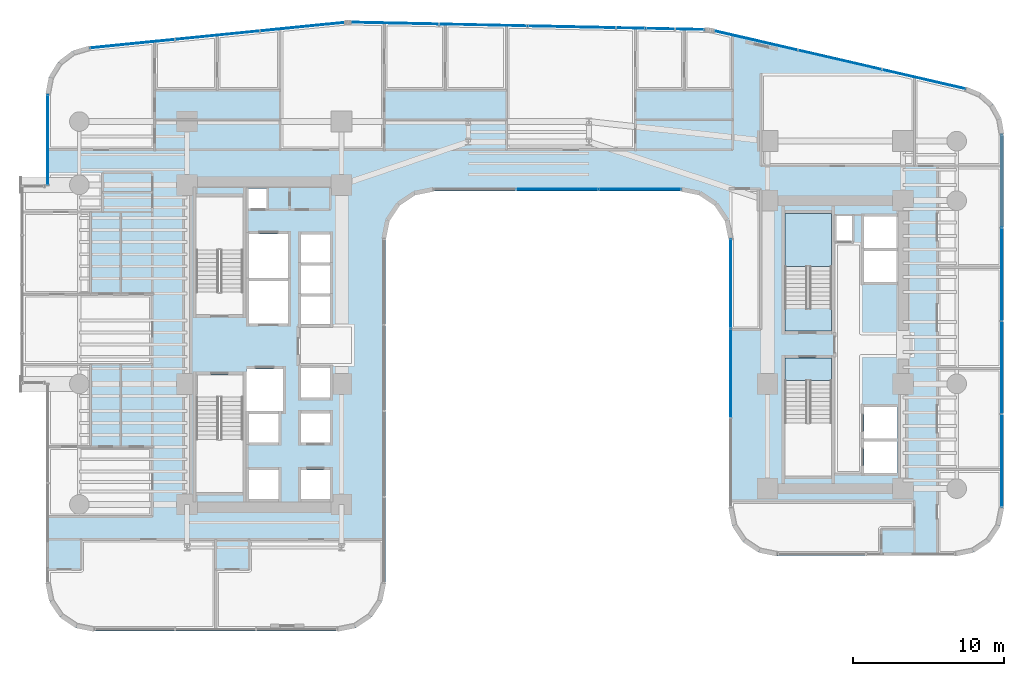
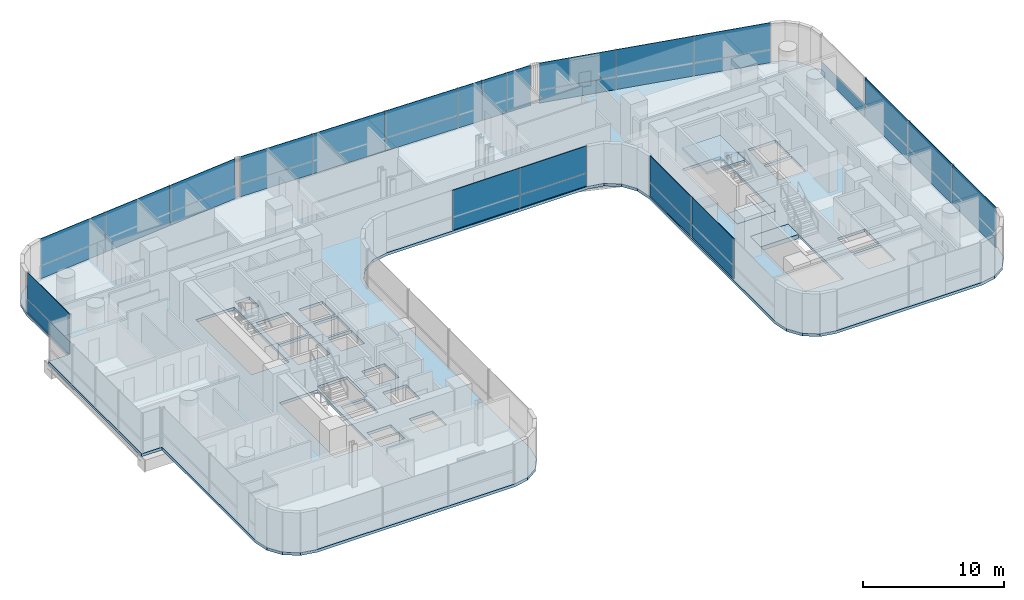
# One storey, part 28 of 40: 31 plates, 4 slabs, 8 elements without a shape of their own.
"""IFC4 building model written with IfcOpenShell, lengths in metres."""

from ifc_helpers import new_model, si_unit, direction, frame, origin, origin_2d, place, context, subcontext, project, spatial, polyline, rectangle, outline, extrude, source, transform, mapped, material, layer, layer_set, type_object, element, aggregate, save


model = new_model("IFC4")

# Units and contexts
model_context = context("Model", 3, precision=1e-05, world=origin(), true_north=direction((0.0, 1.0)))
body_context = subcontext(model_context, "Body", "Model", "MODEL_VIEW")
ifc_project = project(units=[si_unit("LENGTHUNIT", "METRE"), si_unit("AREAUNIT", "SQUARE_METRE"), si_unit("VOLUMEUNIT", "CUBIC_METRE"), si_unit("PLANEANGLEUNIT", "RADIAN"), si_unit("MASSUNIT", "GRAM", prefix="KILO")], contexts=[model_context])

# Site, building, storey
site_placement = place(None, origin())
site = spatial("IfcSite", under=ifc_project, at=site_placement, CompositionType="ELEMENT")
building_placement = place(site_placement, origin())
building = spatial("IfcBuilding", under=site, at=building_placement, Name="Valdorenza Pilgrim Sanctuary Tower", CompositionType="ELEMENT")
storey_placement = place(building_placement, frame((0.0, 0.0, 44.5)))
storey = spatial("IfcBuildingStorey", under=building, at=storey_placement, Name="L10", CompositionType="ELEMENT", Elevation=44.5)

# Slab
ifc_material_1 = material(Name="Concrete C40/50", Category="concrete")
ifc_layer_1 = layer(ifc_material_1, 0.239990234375, Name="Concrete C40/50")
ifc_layer_set_1 = layer_set([ifc_layer_1], Name="Concrete C40/50")
slab_type_1 = type_object("IfcSlabType", Name="SLAB-FLR-220", PredefinedType="FLOOR", material=ifc_layer_set_1)
slab_1_placement = place(storey_placement, frame((0.0, 0.0, -0.239990234375)))
element("IfcSlab", 1, at=slab_1_placement, inside=storey, type_object=slab_type_1, Name="L10 Structural Floor Slab 1", PredefinedType="FLOOR", context=body_context, shape_type="SweptSolid", body=[
    extrude(outline(polyline([(-31.785888671875, 17.754638671875), (-31.172607421875, 18.751220703125), (-30.241943359375, 19.460693359375), (-29.118408203125, 19.7880859375), (-12.192138671875, 21.480712890625), (-11.999755859375, 21.494140625), (-11.9033203125, 21.49658203125), (11.66943359375, 21.0068359375), (11.833984375, 20.999267578125), (11.997802734375, 20.983154296875), (12.160888671875, 20.95849609375), (12.322265625, 20.925537109375), (29.01953125, 17.072509765625), (30.00732421875, 16.660888671875), (30.80419921875, 15.946533203125), (31.321044921875, 15.009521484375), (31.5, 13.954345703125), (31.5, -10.800048828125), (31.25634765625, -12.024658203125), (30.562744140625, -13.062744140625), (29.524658203125, -13.75634765625), (28.300048828125, -14.0), (16.5, -14.0), (15.275390625, -13.75634765625), (14.2373046875, -13.062744140625), (13.543701171875, -12.024658203125), (13.300048828125, -10.800048828125), (13.300048828125, 7.0), (13.056396484375, 8.224609375), (12.36279296875, 9.2626953125), (11.32470703125, 9.956298828125), (10.10009765625, 10.199951171875), (-6.300048828125, 10.199951171875), (-7.524658203125, 9.956298828125), (-8.562744140625, 9.2626953125), (-9.25634765625, 8.224609375), (-9.5, 7.0), (-9.5, -15.800048828125), (-9.74365234375, -17.024658203125), (-10.437255859375, -18.062744140625), (-11.475341796875, -18.75634765625), (-12.699951171875, -19.0), (-28.800048828125, -19.0), (-30.024658203125, -18.75634765625), (-31.062744140625, -18.062744140625), (-31.75634765625, -17.024658203125), (-32.0, -15.800048828125), (-32.0, -2.60009765625), (-33.64990234375, -2.60009765625), (-33.64990234375, 10.60009765625), (-32.0, 10.60009765625), (-32.0, 16.60400390625), (-31.785888671875, 17.754638671875)]), holes=[polyline([(-16.60009765625, -10.25), (-16.60009765625, -8.300048828125), (-18.550048828125, -8.300048828125), (-18.550048828125, -10.25), (-16.60009765625, -10.25)]), polyline([(-22.050048828125, -9.800048828125), (-18.93994140625, -9.800048828125), (-18.93994140625, -3.485107421875), (-18.93994140625, -2.0), (-22.050048828125, -2.0), (-22.050048828125, -3.485107421875), (-22.050048828125, -9.800048828125)]), polyline([(-18.550048828125, -6.5), (-16.60009765625, -6.5), (-16.60009765625, -4.60009765625), (-18.550048828125, -4.60009765625), (-18.550048828125, -6.5)]), polyline([(-13.179931640625, -6.5), (-13.179931640625, -4.550048828125), (-15.10009765625, -4.550048828125), (-15.10009765625, -6.5), (-13.179931640625, -6.5)]), polyline([(-18.719970703125, -4.39990234375), (-16.300048828125, -4.39990234375), (-16.300048828125, -1.60009765625), (-18.719970703125, -1.60009765625), (-18.719970703125, -4.39990234375)]), polyline([(-13.179931640625, -3.5), (-13.179931640625, -1.550048828125), (-15.10009765625, -1.550048828125), (-15.10009765625, -3.5), (-13.179931640625, -3.5)]), polyline([(-22.050048828125, 2.0), (-18.93994140625, 2.0), (-18.93994140625, 3.485107421875), (-18.93994140625, 9.800048828125), (-22.050048828125, 9.800048828125), (-22.050048828125, 3.485107421875), (-22.050048828125, 2.0)]), polyline([(-18.550048828125, 1.39990234375), (-15.949951171875, 1.39990234375), (-15.949951171875, 4.22509765625), (-18.550048828125, 4.22509765625), (-18.550048828125, 1.39990234375)]), polyline([(-15.949951171875, 4.425048828125), (-15.949951171875, 7.35009765625), (-18.550048828125, 7.35009765625), (-18.550048828125, 4.425048828125), (-15.949951171875, 4.425048828125)]), polyline([(-15.10009765625, 5.449951171875), (-13.179931640625, 5.449951171875), (-13.179931640625, 7.300048828125), (-15.10009765625, 7.300048828125), (-15.10009765625, 5.449951171875)]), polyline([(-17.360107421875, 9.030029296875), (-17.360107421875, 10.35009765625), (-18.570068359375, 10.35009765625), (-18.570068359375, 9.030029296875), (-17.360107421875, 9.030029296875)]), polyline([(-15.10009765625, -10.25), (-13.179931640625, -10.25), (-13.179931640625, -8.300048828125), (-15.10009765625, -8.300048828125), (-15.10009765625, -10.25)]), polyline([(22.25, -8.5), (24.47998046875, -8.5), (24.47998046875, -6.425048828125), (22.25, -6.425048828125), (22.25, -8.5)]), polyline([(17.0, -2.385009765625), (17.0, -8.699951171875), (20.110107421875, -8.699951171875), (20.110107421875, -2.385009765625), (20.110107421875, -0.89990234375), (17.0, -0.89990234375), (17.0, -2.385009765625)]), polyline([(22.25, -6.22509765625), (24.47998046875, -6.22509765625), (24.47998046875, -4.14990234375), (22.25, -4.14990234375), (22.25, -6.22509765625)]), polyline([(17.0, 0.89990234375), (20.110107421875, 0.89990234375), (20.110107421875, 2.385009765625), (20.110107421875, 8.699951171875), (17.0, 8.699951171875), (17.0, 2.385009765625), (17.0, 0.89990234375)]), polyline([(-15.10009765625, 1.35009765625), (-13.179931640625, 1.35009765625), (-13.179931640625, 3.199951171875), (-15.10009765625, 3.199951171875), (-15.10009765625, 1.35009765625)]), polyline([(-15.10009765625, 3.39990234375), (-13.179931640625, 3.39990234375), (-13.179931640625, 5.25), (-15.10009765625, 5.25), (-15.10009765625, 3.39990234375)]), polyline([(22.25, 4.14990234375), (24.47998046875, 4.14990234375), (24.47998046875, 6.22509765625), (22.25, 6.22509765625), (22.25, 4.14990234375)]), polyline([(22.25, 6.425048828125), (24.47998046875, 6.425048828125), (24.47998046875, 8.5), (22.25, 8.5), (22.25, 6.425048828125)]), polyline([(20.409912109375, 6.860107421875), (21.489990234375, 6.860107421875), (21.489990234375, 8.52001953125), (20.409912109375, 8.52001953125), (20.409912109375, 6.860107421875)])]), origin(), (0.0, 0.0, 1.0), 0.239990234375),
])

# Stair, slab
stair_type = type_object("IfcStairType", Name="STR-DOG-CORE", PredefinedType="HALF_TURN_STAIR", material=ifc_material_1)
stair_placement = place(storey_placement, origin())
stair = element("IfcStair", 2, at=stair_placement, inside=storey, type_object=stair_type, Name="L10 ST-B1", PredefinedType="HALF_TURN_STAIR")
ifc_layer_2 = layer(ifc_material_1, 0.199951171875, Name="Concrete C40/50")
ifc_layer_set_2 = layer_set([ifc_layer_2], Name="Concrete C40/50")
slab_type_2 = type_object("IfcSlabType", Name="SLAB-STL-200", PredefinedType="LANDING", material=ifc_layer_set_2)
slab_2_placement = place(storey_placement, frame((0.0, 0.0, 1.64990234375)))
slab_2 = element("IfcSlab", 3, at=slab_2_placement, type_object=slab_type_2, Name="ST-B1 landing 1", PredefinedType="LANDING", context=body_context, shape_type="SweptSolid", body=[
    extrude(outline(polyline([(20.110107421875, 5.179931640625), (20.110107421875, 8.699951171875), (17.0, 8.699951171875), (17.0, 5.179931640625), (20.110107421875, 5.179931640625)])), origin(), (0.0, 0.0, 1.0), 0.2001953125),
])
aggregate(stair, [slab_2])

# Slabs
ifc_material_2 = material(Name="Concrete C50/60", Category="concrete")
ifc_layer_3 = layer(ifc_material_2, 0.39990234375, Name="Concrete C50/60")
ifc_layer_set_3 = layer_set([ifc_layer_3], Name="Concrete C50/60")
slab_type_3 = type_object("IfcSlabType", Name="SLAB-TRF-400", PredefinedType="FLOOR", material=ifc_layer_set_3)
slab_3_placement = place(storey_placement, frame((0.0, 0.0, -0.360107421875)))
element("IfcSlab", 4, at=slab_3_placement, inside=storey, type_object=slab_type_3, Name="L10 ST-B1 Structural Stair Landing Bearing Slab", PredefinedType="FLOOR", context=body_context, shape_type="SweptSolid", body=[
    extrude(outline(polyline([(17.0, 0.89990234375), (20.110107421875, 0.89990234375), (20.110107421875, 2.385009765625), (17.0, 2.385009765625), (17.0, 0.89990234375)])), origin(), (0.0, 0.0, 1.0), 0.360107421875),
])
slab_4_placement = place(storey_placement, frame((0.0, 0.0, -0.360107421875)))
element("IfcSlab", 5, at=slab_4_placement, inside=storey, type_object=slab_type_3, Name="L10 ST-B2 Structural Stair Landing Bearing Slab", PredefinedType="FLOOR", context=body_context, shape_type="SweptSolid", body=[
    extrude(outline(polyline([(17.0, -2.385009765625), (20.110107421875, -2.385009765625), (20.110107421875, -0.89990234375), (17.0, -0.89990234375), (17.0, -2.385009765625)])), origin(), (0.0, 0.0, 1.0), 0.360107421875),
])

# Curtain wall, plates
ifc_material_3 = material(Name="Curtain-wall IGU glazing", Category="glass")
curtain_wall_type_1 = type_object("IfcCurtainWallType", Name="CW-SYS-02", PredefinedType="NOTDEFINED", material=ifc_material_3)
curtain_wall_1_placement = place(storey_placement, origin())
curtain_wall_1 = element("IfcCurtainWall", 6, at=curtain_wall_1_placement, inside=storey, type_object=curtain_wall_type_1, Name="L10 Curtain Wall CW-L10-1-6", PredefinedType="NOTDEFINED")
ifc_material_4 = material(Name="Honed travertine limestone", Category="masonry")
ifc_layer_4 = layer(ifc_material_4, 0.050048828125, Name="Honed travertine limestone")
ifc_layer_set_4 = layer_set([ifc_layer_4], Name="Honed travertine limestone")
plate_type_1 = type_object("IfcPlateType", Name="CW-SPN-TRV", PredefinedType="USERDEFINED", material=ifc_layer_set_4)
shared_shape_1 = source(origin(), body_context, "Body", "SweptSolid", [
    extrude(rectangle(XDim=5.646484375, YDim=0.06005859375, at=origin_2d()), origin(), (0.0, 0.0, 1.0), 1.10009765625),
])
plate_1_placement = place(storey_placement, frame((-26.2783203125, 19.961669921875, 0.010009765625), z_axis=(0.0, 0.0, 1.0), x_axis=(0.995038220239, 0.099493418189, 0.0)))
plate_1 = element("IfcPlate", 7, at=plate_1_placement, type_object=plate_type_1, Name="CW-L10-1-6 Travertine Spandrel 1", ObjectType="SPANDREL", PredefinedType="USERDEFINED", context=body_context, shape_type="MappedRepresentation", body=[
    mapped(shared_shape_1, transform((0.0, 0.0, 0.0), x_axis=(1.0, 0.0, 0.0), y_axis=(0.0, 1.0, 0.0), z_axis=(0.0, 0.0, 1.0), scale=1.0)),
])
plate_2_placement = place(storey_placement, frame((-15.001220703125, 21.08935546875, 0.010009765625), z_axis=(0.0, 0.0, 1.0), x_axis=(0.995038220239, 0.099493418189, 0.0)))
plate_2 = element("IfcPlate", 8, at=plate_2_placement, type_object=plate_type_1, Name="CW-L10-1-6 Travertine Spandrel 3", ObjectType="SPANDREL", PredefinedType="USERDEFINED", context=body_context, shape_type="MappedRepresentation", body=[
    mapped(shared_shape_1, transform((0.0, 0.0, 0.0), x_axis=(1.0, 0.0, 0.0), y_axis=(0.0, 1.0, 0.0), z_axis=(0.0, 0.0, 1.0), scale=1.0)),
])
ifc_material_5 = material(Name="Ceramic-fritted low-E IGU glazing", Category="glass")
ifc_layer_5 = layer(ifc_material_5, 0.035888671875, Name="Ceramic-fritted low-E IGU glazing")
ifc_layer_set_5 = layer_set([ifc_layer_5], Name="Ceramic-fritted low-E IGU glazing")
plate_type_2 = type_object("IfcPlateType", Name="CW-GLZ-IGU", PredefinedType="USERDEFINED", material=ifc_layer_set_5)
shared_shape_2 = source(origin(), body_context, "Body", "SweptSolid", [
    extrude(rectangle(XDim=5.646484375, YDim=0.050048828125, at=origin_2d()), origin(), (0.0, 0.0, 1.0), 2.320068359375),
])
plate_3_placement = place(storey_placement, frame((-26.2783203125, 19.961669921875, 1.1298828125), z_axis=(0.0, 0.0, 1.0), x_axis=(0.995038220239, 0.099493418189, 0.0)))
plate_3 = element("IfcPlate", 9, at=plate_3_placement, type_object=plate_type_2, Name="CW-L10-1-6 Facade Panel 1", ObjectType="GLAZING", PredefinedType="USERDEFINED", context=body_context, shape_type="MappedRepresentation", body=[
    mapped(shared_shape_2, transform((0.0, 0.0, 0.0), x_axis=(1.0, 0.0, 0.0), y_axis=(0.0, 1.0, 0.0), z_axis=(0.0, 0.0, 1.0), scale=1.0)),
])
plate_4_placement = place(storey_placement, frame((-15.001220703125, 21.08935546875, 1.1298828125), z_axis=(0.0, 0.0, 1.0), x_axis=(0.995038220239, 0.099493418189, 0.0)))
plate_4 = element("IfcPlate", 10, at=plate_4_placement, type_object=plate_type_2, Name="CW-L10-1-6 Facade Panel 3", ObjectType="GLAZING", PredefinedType="USERDEFINED", context=body_context, shape_type="MappedRepresentation", body=[
    mapped(shared_shape_2, transform((0.0, 0.0, 0.0), x_axis=(1.0, 0.0, 0.0), y_axis=(0.0, 1.0, 0.0), z_axis=(0.0, 0.0, 1.0), scale=1.0)),
])
shared_shape_3 = source(origin(), body_context, "Body", "SweptSolid", [
    extrude(rectangle(XDim=5.646484375, YDim=0.050048828125, at=origin_2d()), origin(), (0.0, 0.0, 1.0), 3.43994140625),
])
plate_5_placement = place(storey_placement, frame((-20.6396484375, 20.525634765625, 0.010009765625), z_axis=(0.0, 0.0, 1.0), x_axis=(0.995038220239, 0.099493418189, 0.0)))
plate_5 = element("IfcPlate", 11, at=plate_5_placement, type_object=plate_type_2, Name="CW-L10-1-6 Full-Height Facade Panel 2", ObjectType="GLAZING", PredefinedType="USERDEFINED", context=body_context, shape_type="MappedRepresentation", body=[
    mapped(shared_shape_3, transform((0.0, 0.0, 0.0), x_axis=(1.0, 0.0, 0.0), y_axis=(0.0, 1.0, 0.0), z_axis=(0.0, 0.0, 1.0), scale=1.0)),
])
aggregate(curtain_wall_1, [plate_1, plate_3, plate_5, plate_2, plate_4])

curtain_wall_2_placement = place(storey_placement, origin())
curtain_wall_2 = element("IfcCurtainWall", 12, at=curtain_wall_2_placement, inside=storey, type_object=curtain_wall_type_1, Name="L10 Curtain Wall CW-L10-1-11", PredefinedType="NOTDEFINED")
shared_shape_4 = source(origin(), body_context, "Body", "SweptSolid", [
    extrude(rectangle(XDim=5.849853515625, YDim=0.06005859375, at=origin_2d()), origin(), (0.0, 0.0, 1.0), 1.10009765625),
])
plate_6_placement = place(storey_placement, frame((-8.8740234375, 21.324951171875, 0.010009765625), z_axis=(0.0, 0.0, 1.0), x_axis=(0.999783234613, -0.020820273474, 0.0)))
plate_6 = element("IfcPlate", 13, at=plate_6_placement, type_object=plate_type_1, Name="CW-L10-1-11 Travertine Spandrel 1", ObjectType="SPANDREL", PredefinedType="USERDEFINED", context=body_context, shape_type="MappedRepresentation", body=[
    mapped(shared_shape_4, transform((0.0, 0.0, 0.0), x_axis=(1.0, 0.0, 0.0), y_axis=(0.0, 1.0, 0.0), z_axis=(0.0, 0.0, 1.0), scale=1.0)),
])
plate_7_placement = place(storey_placement, frame((2.86279296875, 21.080322265625, 0.010009765625), z_axis=(0.0, 0.0, 1.0), x_axis=(0.999783234613, -0.020820273474, 0.0)))
plate_7 = element("IfcPlate", 14, at=plate_7_placement, type_object=plate_type_1, Name="CW-L10-1-11 Travertine Spandrel 3", ObjectType="SPANDREL", PredefinedType="USERDEFINED", context=body_context, shape_type="MappedRepresentation", body=[
    mapped(shared_shape_4, transform((0.0, 0.0, 0.0), x_axis=(1.0, 0.0, 0.0), y_axis=(0.0, 1.0, 0.0), z_axis=(0.0, 0.0, 1.0), scale=1.0)),
])
shared_shape_5 = source(origin(), body_context, "Body", "SweptSolid", [
    extrude(rectangle(XDim=5.849853515625, YDim=0.050048828125, at=origin_2d()), origin(), (0.0, 0.0, 1.0), 2.320068359375),
])
plate_8_placement = place(storey_placement, frame((-8.8740234375, 21.324951171875, 1.1298828125), z_axis=(0.0, 0.0, 1.0), x_axis=(0.999783234613, -0.020820273474, 0.0)))
plate_8 = element("IfcPlate", 15, at=plate_8_placement, type_object=plate_type_2, Name="CW-L10-1-11 Facade Panel 1", ObjectType="GLAZING", PredefinedType="USERDEFINED", context=body_context, shape_type="MappedRepresentation", body=[
    mapped(shared_shape_5, transform((0.0, 0.0, 0.0), x_axis=(1.0, 0.0, 0.0), y_axis=(0.0, 1.0, 0.0), z_axis=(0.0, 0.0, 1.0), scale=1.0)),
])
plate_9_placement = place(storey_placement, frame((2.86279296875, 21.080322265625, 1.1298828125), z_axis=(0.0, 0.0, 1.0), x_axis=(0.999783234613, -0.020820273474, 0.0)))
plate_9 = element("IfcPlate", 16, at=plate_9_placement, type_object=plate_type_2, Name="CW-L10-1-11 Facade Panel 3", ObjectType="GLAZING", PredefinedType="USERDEFINED", context=body_context, shape_type="MappedRepresentation", body=[
    mapped(shared_shape_5, transform((0.0, 0.0, 0.0), x_axis=(1.0, 0.0, 0.0), y_axis=(0.0, 1.0, 0.0), z_axis=(0.0, 0.0, 1.0), scale=1.0)),
])
shared_shape_6 = source(origin(), body_context, "Body", "SweptSolid", [
    extrude(rectangle(XDim=5.849853515625, YDim=0.050048828125, at=origin_2d()), origin(), (0.0, 0.0, 1.0), 3.43994140625),
])
plate_10_placement = place(storey_placement, frame((-3.005615234375, 21.20263671875, 0.010009765625), z_axis=(0.0, 0.0, 1.0), x_axis=(0.999783234613, -0.020820273474, 0.0)))
plate_10 = element("IfcPlate", 17, at=plate_10_placement, type_object=plate_type_2, Name="CW-L10-1-11 Full-Height Facade Panel 2", ObjectType="GLAZING", PredefinedType="USERDEFINED", context=body_context, shape_type="MappedRepresentation", body=[
    mapped(shared_shape_6, transform((0.0, 0.0, 0.0), x_axis=(1.0, 0.0, 0.0), y_axis=(0.0, 1.0, 0.0), z_axis=(0.0, 0.0, 1.0), scale=1.0)),
])

curtain_wall_type_2 = type_object("IfcCurtainWallType", Name="CW-SYS-03", PredefinedType="NOTDEFINED", material=ifc_material_3)
curtain_wall_3_placement = place(storey_placement, origin())
curtain_wall_3 = element("IfcCurtainWall", 18, at=curtain_wall_3_placement, inside=storey, type_object=curtain_wall_type_2, Name="L10 Curtain Wall CW-L10-1-16", PredefinedType="NOTDEFINED")
shared_shape_7 = source(origin(), body_context, "Body", "SweptSolid", [
    extrude(rectangle(XDim=5.6884765625, YDim=0.06005859375, at=origin_2d()), origin(), (0.0, 0.0, 1.0), 1.10009765625),
])
plate_11_placement = place(storey_placement, frame((15.080078125, 20.17626953125, 0.010009765625), z_axis=(0.0, 0.0, 1.0), x_axis=(0.974389691758, -0.224866023659, 0.0)))
plate_11 = element("IfcPlate", 19, at=plate_11_placement, type_object=plate_type_1, Name="CW-L10-1-16 Travertine Spandrel 1", ObjectType="SPANDREL", PredefinedType="USERDEFINED", context=body_context, shape_type="MappedRepresentation", body=[
    mapped(shared_shape_7, transform((0.0, 0.0, 0.0), x_axis=(1.0, 0.0, 0.0), y_axis=(0.0, 1.0, 0.0), z_axis=(0.0, 0.0, 1.0), scale=1.0)),
])
plate_12_placement = place(storey_placement, frame((26.20458984375, 17.609130859375, 0.010009765625), z_axis=(0.0, 0.0, 1.0), x_axis=(0.974389691758, -0.224866023659, 0.0)))
plate_12 = element("IfcPlate", 20, at=plate_12_placement, type_object=plate_type_1, Name="CW-L10-1-16 Travertine Spandrel 3", ObjectType="SPANDREL", PredefinedType="USERDEFINED", context=body_context, shape_type="MappedRepresentation", body=[
    mapped(shared_shape_7, transform((0.0, 0.0, 0.0), x_axis=(1.0, 0.0, 0.0), y_axis=(0.0, 1.0, 0.0), z_axis=(0.0, 0.0, 1.0), scale=1.0)),
])
shared_shape_8 = source(origin(), body_context, "Body", "SweptSolid", [
    extrude(rectangle(XDim=5.6884765625, YDim=0.050048828125, at=origin_2d()), origin(), (0.0, 0.0, 1.0), 2.320068359375),
])
plate_13_placement = place(storey_placement, frame((15.080078125, 20.17626953125, 1.1298828125), z_axis=(0.0, 0.0, 1.0), x_axis=(0.974389691758, -0.224866023659, 0.0)))
plate_13 = element("IfcPlate", 21, at=plate_13_placement, type_object=plate_type_2, Name="CW-L10-1-16 Facade Panel 1", ObjectType="GLAZING", PredefinedType="USERDEFINED", context=body_context, shape_type="MappedRepresentation", body=[
    mapped(shared_shape_8, transform((0.0, 0.0, 0.0), x_axis=(1.0, 0.0, 0.0), y_axis=(0.0, 1.0, 0.0), z_axis=(0.0, 0.0, 1.0), scale=1.0)),
])
plate_14_placement = place(storey_placement, frame((26.20458984375, 17.609130859375, 1.1298828125), z_axis=(0.0, 0.0, 1.0), x_axis=(0.974389691758, -0.224866023659, 0.0)))
plate_14 = element("IfcPlate", 22, at=plate_14_placement, type_object=plate_type_2, Name="CW-L10-1-16 Facade Panel 3", ObjectType="GLAZING", PredefinedType="USERDEFINED", context=body_context, shape_type="MappedRepresentation", body=[
    mapped(shared_shape_8, transform((0.0, 0.0, 0.0), x_axis=(1.0, 0.0, 0.0), y_axis=(0.0, 1.0, 0.0), z_axis=(0.0, 0.0, 1.0), scale=1.0)),
])
shared_shape_9 = source(origin(), body_context, "Body", "SweptSolid", [
    extrude(rectangle(XDim=5.6884765625, YDim=0.050048828125, at=origin_2d()), origin(), (0.0, 0.0, 1.0), 3.43994140625),
])
plate_15_placement = place(storey_placement, frame((20.642333984375, 18.892578125, 0.010009765625), z_axis=(0.0, 0.0, 1.0), x_axis=(0.974389691758, -0.224866023659, 0.0)))
plate_15 = element("IfcPlate", 23, at=plate_15_placement, type_object=plate_type_2, Name="CW-L10-1-16 Full-Height Facade Panel 2", ObjectType="GLAZING", PredefinedType="USERDEFINED", context=body_context, shape_type="MappedRepresentation", body=[
    mapped(shared_shape_9, transform((0.0, 0.0, 0.0), x_axis=(1.0, 0.0, 0.0), y_axis=(0.0, 1.0, 0.0), z_axis=(0.0, 0.0, 1.0), scale=1.0)),
])
aggregate(curtain_wall_3, [plate_11, plate_13, plate_15, plate_12, plate_14])

curtain_wall_4_placement = place(storey_placement, origin())
curtain_wall_4 = element("IfcCurtainWall", 24, at=curtain_wall_4_placement, inside=storey, type_object=curtain_wall_type_2, Name="L10 Curtain Wall CW-L10-1-21", PredefinedType="NOTDEFINED")
shared_shape_10 = source(origin(), body_context, "Body", "SweptSolid", [
    extrude(rectangle(XDim=6.16357421875, YDim=0.06005859375, at=origin_2d()), origin(), (0.0, 0.0, 1.0), 1.10009765625),
])
plate_16_placement = place(storey_placement, frame((31.389892578125, 10.853271484375, 0.010009765625), z_axis=(0.0, 0.0, 1.0), x_axis=(0.0, -1.0, 0.0)))
plate_16 = element("IfcPlate", 25, at=plate_16_placement, type_object=plate_type_1, Name="CW-L10-1-21 Travertine Spandrel 1", ObjectType="SPANDREL", PredefinedType="USERDEFINED", context=body_context, shape_type="MappedRepresentation", body=[
    mapped(shared_shape_10, transform((0.0, 0.0, 0.0), x_axis=(1.0, 0.0, 0.0), y_axis=(0.0, 1.0, 0.0), z_axis=(0.0, 0.0, 1.0), scale=1.0)),
])
plate_17_placement = place(storey_placement, frame((31.389892578125, -1.513916015625, 0.010009765625), z_axis=(0.0, 0.0, 1.0), x_axis=(0.0, -1.0, 0.0)))
plate_17 = element("IfcPlate", 26, at=plate_17_placement, type_object=plate_type_1, Name="CW-L10-1-21 Travertine Spandrel 3", ObjectType="SPANDREL", PredefinedType="USERDEFINED", context=body_context, shape_type="MappedRepresentation", body=[
    mapped(shared_shape_10, transform((0.0, 0.0, 0.0), x_axis=(1.0, 0.0, 0.0), y_axis=(0.0, 1.0, 0.0), z_axis=(0.0, 0.0, 1.0), scale=1.0)),
])
shared_shape_11 = source(origin(), body_context, "Body", "SweptSolid", [
    extrude(rectangle(XDim=6.16357421875, YDim=0.050048828125, at=origin_2d()), origin(), (0.0, 0.0, 1.0), 2.320068359375),
])
plate_18_placement = place(storey_placement, frame((31.389892578125, -1.513916015625, 1.1298828125), z_axis=(0.0, 0.0, 1.0), x_axis=(0.0, -1.0, 0.0)))
plate_18 = element("IfcPlate", 27, at=plate_18_placement, type_object=plate_type_2, Name="CW-L10-1-21 Facade Panel 3", ObjectType="GLAZING", PredefinedType="USERDEFINED", context=body_context, shape_type="MappedRepresentation", body=[
    mapped(shared_shape_11, transform((0.0, 0.0, 0.0), x_axis=(1.0, 0.0, 0.0), y_axis=(0.0, 1.0, 0.0), z_axis=(0.0, 0.0, 1.0), scale=1.0)),
])
shared_shape_12 = source(origin(), body_context, "Body", "SweptSolid", [
    extrude(rectangle(XDim=6.16357421875, YDim=0.050048828125, at=origin_2d()), origin(), (0.0, 0.0, 1.0), 3.43994140625),
])
plate_19_placement = place(storey_placement, frame((31.389892578125, 4.669677734375, 0.010009765625), z_axis=(0.0, 0.0, 1.0), x_axis=(0.0, -1.0, 0.0)))
plate_19 = element("IfcPlate", 28, at=plate_19_placement, type_object=plate_type_2, Name="CW-L10-1-21 Full-Height Facade Panel 2", ObjectType="GLAZING", PredefinedType="USERDEFINED", context=body_context, shape_type="MappedRepresentation", body=[
    mapped(shared_shape_12, transform((0.0, 0.0, 0.0), x_axis=(1.0, 0.0, 0.0), y_axis=(0.0, 1.0, 0.0), z_axis=(0.0, 0.0, 1.0), scale=1.0)),
])
plate_20_placement = place(storey_placement, frame((31.389892578125, -7.697509765625, 0.010009765625), z_axis=(0.0, 0.0, 1.0), x_axis=(0.0, -1.0, 0.0)))
plate_20 = element("IfcPlate", 29, at=plate_20_placement, type_object=plate_type_2, Name="CW-L10-1-21 Full-Height Facade Panel 4", ObjectType="GLAZING", PredefinedType="USERDEFINED", context=body_context, shape_type="MappedRepresentation", body=[
    mapped(shared_shape_12, transform((0.0, 0.0, 0.0), x_axis=(1.0, 0.0, 0.0), y_axis=(0.0, 1.0, 0.0), z_axis=(0.0, 0.0, 1.0), scale=1.0)),
])
aggregate(curtain_wall_4, [plate_16, plate_19, plate_17, plate_18, plate_20])

curtain_wall_5_placement = place(storey_placement, origin())
curtain_wall_5 = element("IfcCurtainWall", 30, at=curtain_wall_5_placement, inside=storey, type_object=curtain_wall_type_2, Name="L10 Curtain Wall CW-L10-1-31", PredefinedType="NOTDEFINED")
shared_shape_13 = source(origin(), body_context, "Body", "SweptSolid", [
    extrude(rectangle(XDim=5.913330078125, YDim=0.06005859375, at=origin_2d()), origin(), (0.0, 0.0, 1.0), 1.10009765625),
])
plate_21_placement = place(storey_placement, frame((13.409912109375, 4.044189453125, 0.010009765625), z_axis=(0.0, 0.0, 1.0), x_axis=(0.0, 1.0, 0.0)))
plate_21 = element("IfcPlate", 31, at=plate_21_placement, type_object=plate_type_1, Name="CW-L10-1-31 Travertine Spandrel 3", ObjectType="SPANDREL", PredefinedType="USERDEFINED", context=body_context, shape_type="MappedRepresentation", body=[
    mapped(shared_shape_13, transform((0.0, 0.0, 0.0), x_axis=(1.0, 0.0, 0.0), y_axis=(0.0, 1.0, 0.0), z_axis=(0.0, 0.0, 1.0), scale=1.0)),
])
shared_shape_14 = source(origin(), body_context, "Body", "SweptSolid", [
    extrude(rectangle(XDim=5.913330078125, YDim=0.050048828125, at=origin_2d()), origin(), (0.0, 0.0, 1.0), 2.320068359375),
])
plate_22_placement = place(storey_placement, frame((13.409912109375, 4.044189453125, 1.1298828125), z_axis=(0.0, 0.0, 1.0), x_axis=(0.0, 1.0, 0.0)))
plate_22 = element("IfcPlate", 32, at=plate_22_placement, type_object=plate_type_2, Name="CW-L10-1-31 Facade Panel 3", ObjectType="GLAZING", PredefinedType="USERDEFINED", context=body_context, shape_type="MappedRepresentation", body=[
    mapped(shared_shape_14, transform((0.0, 0.0, 0.0), x_axis=(1.0, 0.0, 0.0), y_axis=(0.0, 1.0, 0.0), z_axis=(0.0, 0.0, 1.0), scale=1.0)),
])
shared_shape_15 = source(origin(), body_context, "Body", "SweptSolid", [
    extrude(rectangle(XDim=5.913330078125, YDim=0.050048828125, at=origin_2d()), origin(), (0.0, 0.0, 1.0), 3.43994140625),
])
plate_23_placement = place(storey_placement, frame((13.409912109375, -1.88916015625, 0.010009765625), z_axis=(0.0, 0.0, 1.0), x_axis=(0.0, 1.0, 0.0)))
plate_23 = element("IfcPlate", 33, at=plate_23_placement, type_object=plate_type_2, Name="CW-L10-1-31 Full-Height Facade Panel 2", ObjectType="GLAZING", PredefinedType="USERDEFINED", context=body_context, shape_type="MappedRepresentation", body=[
    mapped(shared_shape_15, transform((0.0, 0.0, 0.0), x_axis=(1.0, 0.0, 0.0), y_axis=(0.0, 1.0, 0.0), z_axis=(0.0, 0.0, 1.0), scale=1.0)),
])
aggregate(curtain_wall_5, [plate_23, plate_21, plate_22])

curtain_wall_6_placement = place(storey_placement, origin())
curtain_wall_6 = element("IfcCurtainWall", 34, at=curtain_wall_6_placement, inside=storey, type_object=curtain_wall_type_1, Name="L10 Curtain Wall CW-L10-1-36", PredefinedType="NOTDEFINED")
shared_shape_16 = source(origin(), body_context, "Body", "SweptSolid", [
    extrude(rectangle(XDim=5.453857421875, YDim=0.06005859375, at=origin_2d()), origin(), (0.0, 0.0, 1.0), 1.10009765625),
])
plate_24_placement = place(storey_placement, frame((7.373779296875, 10.31005859375, 0.010009765625), z_axis=(0.0, 0.0, 1.0), x_axis=(-1.0, 0.0, 0.0)))
plate_24 = element("IfcPlate", 35, at=plate_24_placement, type_object=plate_type_1, Name="CW-L10-1-36 Travertine Spandrel 1", ObjectType="SPANDREL", PredefinedType="USERDEFINED", context=body_context, shape_type="MappedRepresentation", body=[
    mapped(shared_shape_16, transform((0.0, 0.0, 0.0), x_axis=(1.0, 0.0, 0.0), y_axis=(0.0, 1.0, 0.0), z_axis=(0.0, 0.0, 1.0), scale=1.0)),
])
shared_shape_17 = source(origin(), body_context, "Body", "SweptSolid", [
    extrude(rectangle(XDim=5.453857421875, YDim=0.050048828125, at=origin_2d()), origin(), (0.0, 0.0, 1.0), 2.320068359375),
])
plate_25_placement = place(storey_placement, frame((7.373779296875, 10.31005859375, 1.1298828125), z_axis=(0.0, 0.0, 1.0), x_axis=(-1.0, 0.0, 0.0)))
plate_25 = element("IfcPlate", 36, at=plate_25_placement, type_object=plate_type_2, Name="CW-L10-1-36 Facade Panel 1", ObjectType="GLAZING", PredefinedType="USERDEFINED", context=body_context, shape_type="MappedRepresentation", body=[
    mapped(shared_shape_17, transform((0.0, 0.0, 0.0), x_axis=(1.0, 0.0, 0.0), y_axis=(0.0, 1.0, 0.0), z_axis=(0.0, 0.0, 1.0), scale=1.0)),
])
shared_shape_18 = source(origin(), body_context, "Body", "SweptSolid", [
    extrude(rectangle(XDim=5.453857421875, YDim=0.050048828125, at=origin_2d()), origin(), (0.0, 0.0, 1.0), 3.43994140625),
])
plate_26_placement = place(storey_placement, frame((1.89990234375, 10.31005859375, 0.010009765625), z_axis=(0.0, 0.0, 1.0), x_axis=(-1.0, 0.0, 0.0)))
plate_26 = element("IfcPlate", 37, at=plate_26_placement, type_object=plate_type_2, Name="CW-L10-1-36 Full-Height Facade Panel 2", ObjectType="GLAZING", PredefinedType="USERDEFINED", context=body_context, shape_type="MappedRepresentation", body=[
    mapped(shared_shape_18, transform((0.0, 0.0, 0.0), x_axis=(1.0, 0.0, 0.0), y_axis=(0.0, 1.0, 0.0), z_axis=(0.0, 0.0, 1.0), scale=1.0)),
])
aggregate(curtain_wall_6, [plate_24, plate_25, plate_26])

curtain_wall_7_placement = place(storey_placement, origin())
curtain_wall_7 = element("IfcCurtainWall", 38, at=curtain_wall_7_placement, inside=storey, type_object=curtain_wall_type_1, Name="L10 Curtain Wall CW-L10-1-1S2", PredefinedType="NOTDEFINED")
shared_shape_19 = source(origin(), body_context, "Body", "SweptSolid", [
    extrude(rectangle(XDim=5.973876953125, YDim=0.06005859375, at=origin_2d()), origin(), (0.0, 0.0, 1.0), 1.10009765625),
])
plate_27_placement = place(storey_placement, frame((-31.889892578125, 13.596923828125, 0.010009765625), z_axis=(0.0, 0.0, 1.0), x_axis=(0.0, 1.0, 0.0)))
plate_27 = element("IfcPlate", 39, at=plate_27_placement, type_object=plate_type_1, Name="CW-L10-1-1S2 Travertine Spandrel 1", ObjectType="SPANDREL", PredefinedType="USERDEFINED", context=body_context, shape_type="MappedRepresentation", body=[
    mapped(shared_shape_19, transform((0.0, 0.0, 0.0), x_axis=(1.0, 0.0, 0.0), y_axis=(0.0, 1.0, 0.0), z_axis=(0.0, 0.0, 1.0), scale=1.0)),
])
shared_shape_20 = source(origin(), body_context, "Body", "SweptSolid", [
    extrude(rectangle(XDim=5.973876953125, YDim=0.050048828125, at=origin_2d()), origin(), (0.0, 0.0, 1.0), 2.320068359375),
])
plate_28_placement = place(storey_placement, frame((-31.889892578125, 13.596923828125, 1.1298828125), z_axis=(0.0, 0.0, 1.0), x_axis=(0.0, 1.0, 0.0)))
plate_28 = element("IfcPlate", 40, at=plate_28_placement, type_object=plate_type_2, Name="CW-L10-1-1S2 Facade Panel 1", ObjectType="GLAZING", PredefinedType="USERDEFINED", context=body_context, shape_type="MappedRepresentation", body=[
    mapped(shared_shape_20, transform((0.0, 0.0, 0.0), x_axis=(1.0, 0.0, 0.0), y_axis=(0.0, 1.0, 0.0), z_axis=(0.0, 0.0, 1.0), scale=1.0)),
])
aggregate(curtain_wall_7, [plate_27, plate_28])

# Plate
shared_shape_21 = source(origin(), body_context, "Body", "SweptSolid", [
    extrude(rectangle(XDim=1.929931640625, YDim=0.050048828125, at=origin_2d()), origin(), (0.0, 0.0, 1.0), 3.43994140625),
])
plate_29_placement = place(storey_placement, frame((6.781982421875, 20.998779296875, 0.010009765625), z_axis=(0.0, 0.0, 1.0), x_axis=(0.999783234613, -0.020820273474, 0.0)))
plate_29 = element("IfcPlate", 41, at=plate_29_placement, type_object=plate_type_2, Name="CW-L10-1-11 Full-Height Facade Panel 4 Sub 1", ObjectType="GLAZING", PredefinedType="USERDEFINED", context=body_context, shape_type="MappedRepresentation", body=[
    mapped(shared_shape_21, transform((0.0, 0.0, 0.0), x_axis=(1.0, 0.0, 0.0), y_axis=(0.0, 1.0, 0.0), z_axis=(0.0, 0.0, 1.0), scale=1.0)),
])

plate_30_placement = place(storey_placement, frame((8.7314453125, 20.9580078125, 0.010009765625), z_axis=(0.0, 0.0, 1.0), x_axis=(0.999783234613, -0.020820273474, 0.0)))
plate_30 = element("IfcPlate", 42, at=plate_30_placement, type_object=plate_type_2, Name="CW-L10-1-11 Full-Height Facade Panel 4 Sub 2", ObjectType="GLAZING", PredefinedType="USERDEFINED", context=body_context, shape_type="MappedRepresentation", body=[
    mapped(shared_shape_21, transform((0.0, 0.0, 0.0), x_axis=(1.0, 0.0, 0.0), y_axis=(0.0, 1.0, 0.0), z_axis=(0.0, 0.0, 1.0), scale=1.0)),
])

plate_31_placement = place(storey_placement, frame((10.680908203125, 20.91748046875, 0.010009765625), z_axis=(0.0, 0.0, 1.0), x_axis=(0.999783234613, -0.020820273474, 0.0)))
plate_31 = element("IfcPlate", 43, at=plate_31_placement, type_object=plate_type_2, Name="CW-L10-1-11 Full-Height Facade Panel 4 Sub 3", ObjectType="GLAZING", PredefinedType="USERDEFINED", context=body_context, shape_type="MappedRepresentation", body=[
    mapped(shared_shape_21, transform((0.0, 0.0, 0.0), x_axis=(1.0, 0.0, 0.0), y_axis=(0.0, 1.0, 0.0), z_axis=(0.0, 0.0, 1.0), scale=1.0)),
])

aggregate(curtain_wall_2, [plate_6, plate_8, plate_10, plate_7, plate_9, plate_29, plate_30, plate_31])

save(model, "model.ifc")
